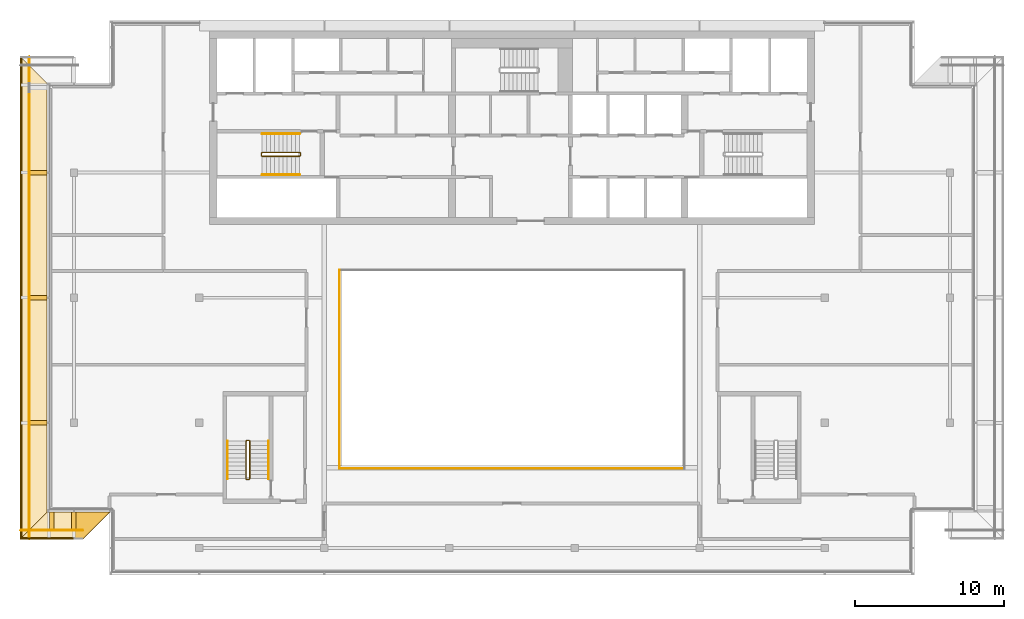
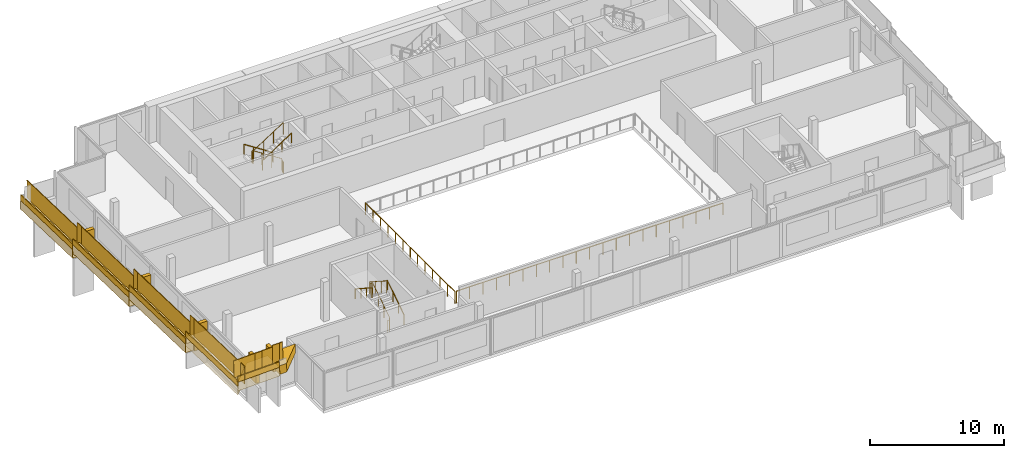
# One storey, part 16 of 20: 19 railings, 16 coverings.
"""IFC4 building model written with IfcOpenShell, lengths in metres."""

from ifc_helpers import new_model, si_unit, direction, frame, origin, origin_2d, place, context, subcontext, project, spatial, polyline, rectangle, circle, outline, extrude, material, layer, layer_set, type_object, element, save


model = new_model("IFC4")

# Units and contexts
model_context = context("Model", 3, precision=1e-05, world=origin(), true_north=direction((0.0, 1.0)))
body_context = subcontext(model_context, "Body", "Model", "MODEL_VIEW")
ifc_project = project(units=[si_unit("LENGTHUNIT", "METRE"), si_unit("AREAUNIT", "SQUARE_METRE"), si_unit("VOLUMEUNIT", "CUBIC_METRE"), si_unit("PLANEANGLEUNIT", "RADIAN"), si_unit("MASSUNIT", "GRAM", prefix="KILO")], contexts=[model_context])

# Site, building, storey
site_placement = place(None, origin())
site = spatial("IfcSite", under=ifc_project, at=site_placement, CompositionType="ELEMENT")
building_placement = place(site_placement, origin())
building = spatial("IfcBuilding", under=site, at=building_placement, Name="Saffron Gate Tower", CompositionType="ELEMENT")
storey_placement = place(building_placement, frame((0.0, 0.0, 303.14990234375)))
storey = spatial("IfcBuildingStorey", under=building, at=storey_placement, Name="L74", CompositionType="ELEMENT", Elevation=303.14990234375)

# Railings
ifc_material_1 = material(Name="Stainless steel and laminated glass", Category="steel")
railing_type_1 = type_object("IfcRailingType", Name="AG1 Atrium edge guard 1100", PredefinedType="GUARDRAIL", material=ifc_material_1)
railing_1_placement = place(storey_placement, frame((76.02001953125, 45.5400390625, 0.0)))
element("IfcRailing", 1, at=railing_1_placement, inside=storey, type_object=railing_type_1, Name="Guard E6-1", PredefinedType="GUARDRAIL", context=body_context, shape_type="SweptSolid", body=[
    extrude(circle(Radius=0.02392578125, at=origin_2d()), frame((0.0, 0.0, 1.076171875), z_axis=(0.0, 1.0, 0.0), x_axis=(-1.0, 0.0, 0.0)), (0.0, 0.0, 1.0), 13.320068359375),
    extrude(circle(Radius=0.02099609375, at=origin_2d()), origin(), (0.0, 0.0, 1.0), 1.052001953125),
    extrude(circle(Radius=0.02099609375, at=origin_2d()), frame((0.0, 1.110107421875, 0.0)), (0.0, 0.0, 1.0), 1.052001953125),
    extrude(circle(Radius=0.02099609375, at=origin_2d()), frame((0.0, 2.219970703125, 0.0)), (0.0, 0.0, 1.0), 1.052001953125),
    extrude(circle(Radius=0.02099609375, at=origin_2d()), frame((0.0, 3.330078125, 0.0)), (0.0, 0.0, 1.0), 1.052001953125),
    extrude(circle(Radius=0.02099609375, at=origin_2d()), frame((0.0, 4.43994140625, 0.0)), (0.0, 0.0, 1.0), 1.052001953125),
    extrude(circle(Radius=0.02099609375, at=origin_2d()), frame((0.0, 5.550048828125, 0.0)), (0.0, 0.0, 1.0), 1.052001953125),
    extrude(circle(Radius=0.02099609375, at=origin_2d()), frame((0.0, 6.66015625, 0.0)), (0.0, 0.0, 1.0), 1.052001953125),
    extrude(circle(Radius=0.02099609375, at=origin_2d()), frame((0.0, 7.77001953125, 0.0)), (0.0, 0.0, 1.0), 1.052001953125),
    extrude(circle(Radius=0.02099609375, at=origin_2d()), frame((0.0, 8.880126953125, 0.0)), (0.0, 0.0, 1.0), 1.052001953125),
    extrude(circle(Radius=0.02099609375, at=origin_2d()), frame((0.0, 9.989990234375, 0.0)), (0.0, 0.0, 1.0), 1.052001953125),
    extrude(circle(Radius=0.02099609375, at=origin_2d()), frame((0.0, 11.10009765625, 0.0)), (0.0, 0.0, 1.0), 1.052001953125),
    extrude(circle(Radius=0.02099609375, at=origin_2d()), frame((0.0, 12.2099609375, 0.0)), (0.0, 0.0, 1.0), 1.052001953125),
    extrude(circle(Radius=0.02099609375, at=origin_2d()), frame((0.0, 13.320068359375, 0.0)), (0.0, 0.0, 1.0), 1.052001953125),
])
railing_2_placement = place(storey_placement, frame((99.06005859375, 45.5400390625, 0.0)))
element("IfcRailing", 2, at=railing_2_placement, inside=storey, type_object=railing_type_1, Name="Guard E6-4", PredefinedType="GUARDRAIL", context=body_context, shape_type="SweptSolid", body=[
    extrude(circle(Radius=0.02392578125, at=origin_2d()), frame((0.0, 0.0, 1.076171875), z_axis=(-1.0, 0.0, 0.0), x_axis=(0.0, -1.0, 0.0)), (0.0, 0.0, 1.0), 22.920166015625),
    extrude(circle(Radius=0.02099609375, at=origin_2d()), origin(), (0.0, 0.0, 1.0), 1.052001953125),
    extrude(circle(Radius=0.02099609375, at=origin_2d()), frame((-1.14599609375, 0.0, 0.0)), (0.0, 0.0, 1.0), 1.052001953125),
    extrude(circle(Radius=0.02099609375, at=origin_2d()), frame((-2.2919921875, 0.0, 0.0)), (0.0, 0.0, 1.0), 1.052001953125),
    extrude(circle(Radius=0.02099609375, at=origin_2d()), frame((-3.43798828125, 0.0, 0.0)), (0.0, 0.0, 1.0), 1.052001953125),
    extrude(circle(Radius=0.02099609375, at=origin_2d()), frame((-4.583984375, 0.0, 0.0)), (0.0, 0.0, 1.0), 1.052001953125),
    extrude(circle(Radius=0.02099609375, at=origin_2d()), frame((-5.72998046875, 0.0, 0.0)), (0.0, 0.0, 1.0), 1.052001953125),
    extrude(circle(Radius=0.02099609375, at=origin_2d()), frame((-6.8759765625, 0.0, 0.0)), (0.0, 0.0, 1.0), 1.052001953125),
    extrude(circle(Radius=0.02099609375, at=origin_2d()), frame((-8.02197265625, 0.0, 0.0)), (0.0, 0.0, 1.0), 1.052001953125),
    extrude(circle(Radius=0.02099609375, at=origin_2d()), frame((-9.16796875, 0.0, 0.0)), (0.0, 0.0, 1.0), 1.052001953125),
    extrude(circle(Radius=0.02099609375, at=origin_2d()), frame((-10.31396484375, 0.0, 0.0)), (0.0, 0.0, 1.0), 1.052001953125),
    extrude(circle(Radius=0.02099609375, at=origin_2d()), frame((-11.4599609375, 0.0, 0.0)), (0.0, 0.0, 1.0), 1.052001953125),
    extrude(circle(Radius=0.02099609375, at=origin_2d()), frame((-12.606201171875, 0.0, 0.0)), (0.0, 0.0, 1.0), 1.052001953125),
    extrude(circle(Radius=0.02099609375, at=origin_2d()), frame((-13.752197265625, 0.0, 0.0)), (0.0, 0.0, 1.0), 1.052001953125),
    extrude(circle(Radius=0.02099609375, at=origin_2d()), frame((-14.898193359375, 0.0, 0.0)), (0.0, 0.0, 1.0), 1.052001953125),
    extrude(circle(Radius=0.02099609375, at=origin_2d()), frame((-16.044189453125, 0.0, 0.0)), (0.0, 0.0, 1.0), 1.052001953125),
    extrude(circle(Radius=0.02099609375, at=origin_2d()), frame((-17.190185546875, 0.0, 0.0)), (0.0, 0.0, 1.0), 1.052001953125),
    extrude(circle(Radius=0.02099609375, at=origin_2d()), frame((-18.336181640625, 0.0, 0.0)), (0.0, 0.0, 1.0), 1.052001953125),
    extrude(circle(Radius=0.02099609375, at=origin_2d()), frame((-19.482177734375, 0.0, 0.0)), (0.0, 0.0, 1.0), 1.052001953125),
    extrude(circle(Radius=0.02099609375, at=origin_2d()), frame((-20.628173828125, 0.0, 0.0)), (0.0, 0.0, 1.0), 1.052001953125),
    extrude(circle(Radius=0.02099609375, at=origin_2d()), frame((-21.774169921875, 0.0, 0.0)), (0.0, 0.0, 1.0), 1.052001953125),
    extrude(circle(Radius=0.02099609375, at=origin_2d()), frame((-22.920166015625, 0.0, 0.0)), (0.0, 0.0, 1.0), 1.052001953125),
])
railing_type_2 = type_object("IfcRailingType", Name="CR1 Stair guard 1100", PredefinedType="GUARDRAIL", material=ifc_material_1)
railing_3_placement = place(storey_placement, frame((73.39990234375, 66.550048828125, 0.0)))
element("IfcRailing", 3, at=railing_3_placement, inside=storey, type_object=railing_type_2, Name="L74 ST-A stair guard 1", PredefinedType="GUARDRAIL", context=body_context, shape_type="SweptSolid", body=[
    extrude(circle(Radius=0.02392578125, at=origin_2d()), frame((0.0, 0.0, 1.076171875), z_axis=(0.0, 1.0, 0.0), x_axis=(-1.0, 0.0, 0.0)), (0.0, 0.0, 1.0), 0.14990234375),
    extrude(circle(Radius=0.02392578125, at=origin_2d()), frame((0.0, 0.14990234375, 1.076171875), z_axis=(-0.257366384619, 0.258627984543, 0.931060744355), x_axis=(-0.708833529934, -0.705375805398, 0.0)), (0.0, 0.0, 1.0), 0.193603515625),
    extrude(circle(Radius=0.02392578125, at=origin_2d()), frame((-0.0498046875, 0.199951171875, 1.25634765625), z_axis=(-0.841199657755, 0.0, 0.540724639528), x_axis=(0.0, -1.0, 0.0)), (0.0, 0.0, 1.0), 2.995849609375),
    extrude(circle(Radius=0.02392578125, at=origin_2d()), frame((-2.56982421875, 0.199951171875, 2.8759765625), z_axis=(-0.707106781187, -0.707106781187, 0.0), x_axis=(0.707106781187, -0.707106781187, 0.0)), (0.0, 0.0, 1.0), 0.07080078125),
    extrude(circle(Radius=0.02392578125, at=origin_2d()), frame((-2.619873046875, 0.14990234375, 2.8759765625), z_axis=(0.0, -1.0, 0.0), x_axis=(1.0, 0.0, 0.0)), (0.0, 0.0, 1.0), 0.14990234375),
    extrude(circle(Radius=0.02392578125, at=origin_2d()), frame((-2.619873046875, 0.0, 2.8759765625), z_axis=(0.258847668887, -0.258847668887, 0.930588936439), x_axis=(0.707106781187, 0.707106781187, 0.0)), (0.0, 0.0, 1.0), 0.193359375),
    extrude(circle(Radius=0.02392578125, at=origin_2d()), frame((-2.56982421875, -0.050048828125, 3.05615234375), z_axis=(0.841162588446, 0.0, 0.540782303519), x_axis=(0.0, 1.0, 0.0)), (0.0, 0.0, 1.0), 2.995849609375),
    extrude(circle(Radius=0.02099609375, at=origin_2d()), origin(), (0.0, 0.0, 1.0), 1.052001953125),
    extrude(circle(Radius=0.02099609375, at=origin_2d()), frame((0.0, 0.14990234375, 0.0)), (0.0, 0.0, 1.0), 1.052001953125),
    extrude(circle(Radius=0.02099609375, at=origin_2d()), frame((-0.0498046875, 0.199951171875, 0.18017578125)), (0.0, 0.0, 1.0), 1.052001953125),
    extrude(circle(Radius=0.02099609375, at=origin_2d()), frame((-0.889892578125, 0.199951171875, 0.72021484375)), (0.0, 0.0, 1.0), 1.052001953125),
    extrude(circle(Radius=0.02099609375, at=origin_2d()), frame((-1.729736328125, 0.199951171875, 1.260009765625)), (0.0, 0.0, 1.0), 1.052001953125),
    extrude(circle(Radius=0.02099609375, at=origin_2d()), frame((-2.56982421875, 0.199951171875, 1.800048828125)), (0.0, 0.0, 1.0), 1.052001953125),
    extrude(circle(Radius=0.02099609375, at=origin_2d()), frame((-2.619873046875, 0.14990234375, 1.800048828125)), (0.0, 0.0, 1.0), 1.052001953125),
    extrude(circle(Radius=0.02099609375, at=origin_2d()), frame((-2.619873046875, 0.0, 1.800048828125)), (0.0, 0.0, 1.0), 1.052001953125),
    extrude(circle(Radius=0.02099609375, at=origin_2d()), frame((-2.56982421875, -0.050048828125, 1.97998046875)), (0.0, 0.0, 1.0), 1.052001953125),
    extrude(circle(Radius=0.02099609375, at=origin_2d()), frame((-1.729736328125, -0.050048828125, 2.52001953125)), (0.0, 0.0, 1.0), 1.052001953125),
    extrude(circle(Radius=0.02099609375, at=origin_2d()), frame((-0.889892578125, -0.050048828125, 3.06005859375)), (0.0, 0.0, 1.0), 1.052001953125),
    extrude(circle(Radius=0.02099609375, at=origin_2d()), frame((-0.0498046875, -0.050048828125, 3.60009765625)), (0.0, 0.0, 1.0), 1.052001953125),
])
railing_4_placement = place(storey_placement, frame((69.800048828125, 44.800048828125, 0.0)))
element("IfcRailing", 4, at=railing_4_placement, inside=storey, type_object=railing_type_2, Name="L74 ST-D stair guard 1", PredefinedType="GUARDRAIL", context=body_context, shape_type="SweptSolid", body=[
    extrude(circle(Radius=0.02392578125, at=origin_2d()), frame((0.0, 0.0, 1.076171875), z_axis=(1.0, 0.0, 0.0), x_axis=(0.0, 1.0, 0.0)), (0.0, 0.0, 1.0), 0.14990234375),
    extrude(circle(Radius=0.02392578125, at=origin_2d()), frame((0.14990234375, 0.0, 1.076171875), z_axis=(0.258543844998, 0.258543844998, 0.930757841991), x_axis=(-0.707106781187, 0.707106781187, 0.0)), (0.0, 0.0, 1.0), 0.193603515625),
    extrude(circle(Radius=0.02392578125, at=origin_2d()), frame((0.199951171875, 0.050048828125, 1.25634765625), z_axis=(0.0, 0.841199657755, 0.540724639528), x_axis=(-1.0, 0.0, 0.0)), (0.0, 0.0, 1.0), 2.995849609375),
    extrude(circle(Radius=0.02392578125, at=origin_2d()), frame((0.199951171875, 2.570068359375, 2.8759765625), z_axis=(-0.708833529934, 0.705375805398, 0.0), x_axis=(-0.705375805398, -0.708833529934, 0.0)), (0.0, 0.0, 1.0), 0.070556640625),
    extrude(circle(Radius=0.02392578125, at=origin_2d()), frame((0.14990234375, 2.619873046875, 2.8759765625), z_axis=(-1.0, 0.0, 0.0), x_axis=(0.0, -1.0, 0.0)), (0.0, 0.0, 1.0), 0.14990234375),
    extrude(circle(Radius=0.02392578125, at=origin_2d()), frame((0.0, 2.619873046875, 2.8759765625), z_axis=(-0.258932105505, -0.257669022063, 0.930892496375), x_axis=(0.705375805398, -0.708833529934, 0.0)), (0.0, 0.0, 1.0), 0.193359375),
    extrude(circle(Radius=0.02392578125, at=origin_2d()), frame((-0.050048828125, 2.570068359375, 3.05615234375), z_axis=(0.0, -0.841162588446, 0.540782303519), x_axis=(1.0, 0.0, 0.0)), (0.0, 0.0, 1.0), 2.995849609375),
    extrude(circle(Radius=0.02099609375, at=origin_2d()), origin(), (0.0, 0.0, 1.0), 1.052001953125),
    extrude(circle(Radius=0.02099609375, at=origin_2d()), frame((0.14990234375, 0.0, 0.0)), (0.0, 0.0, 1.0), 1.052001953125),
    extrude(circle(Radius=0.02099609375, at=origin_2d()), frame((0.199951171875, 0.050048828125, 0.18017578125)), (0.0, 0.0, 1.0), 1.052001953125),
    extrude(circle(Radius=0.02099609375, at=origin_2d()), frame((0.199951171875, 0.89013671875, 0.72021484375)), (0.0, 0.0, 1.0), 1.052001953125),
    extrude(circle(Radius=0.02099609375, at=origin_2d()), frame((0.199951171875, 1.72998046875, 1.260009765625)), (0.0, 0.0, 1.0), 1.052001953125),
    extrude(circle(Radius=0.02099609375, at=origin_2d()), frame((0.199951171875, 2.570068359375, 1.800048828125)), (0.0, 0.0, 1.0), 1.052001953125),
    extrude(circle(Radius=0.02099609375, at=origin_2d()), frame((0.14990234375, 2.619873046875, 1.800048828125)), (0.0, 0.0, 1.0), 1.052001953125),
    extrude(circle(Radius=0.02099609375, at=origin_2d()), frame((0.0, 2.619873046875, 1.800048828125)), (0.0, 0.0, 1.0), 1.052001953125),
    extrude(circle(Radius=0.02099609375, at=origin_2d()), frame((-0.050048828125, 2.570068359375, 1.97998046875)), (0.0, 0.0, 1.0), 1.052001953125),
    extrude(circle(Radius=0.02099609375, at=origin_2d()), frame((-0.050048828125, 1.72998046875, 2.52001953125)), (0.0, 0.0, 1.0), 1.052001953125),
    extrude(circle(Radius=0.02099609375, at=origin_2d()), frame((-0.050048828125, 0.89013671875, 3.06005859375)), (0.0, 0.0, 1.0), 1.052001953125),
    extrude(circle(Radius=0.02099609375, at=origin_2d()), frame((-0.050048828125, 0.050048828125, 3.60009765625)), (0.0, 0.0, 1.0), 1.052001953125),
])
ifc_material_2 = material(Name="Stainless steel", Category="steel")
railing_type_3 = type_object("IfcRailingType", Name="CR2 Stair handrail 900", PredefinedType="HANDRAIL", material=ifc_material_2)
railing_5_placement = place(storey_placement, frame((73.35009765625, 68.0, 0.18017578125)))
element("IfcRailing", 5, at=railing_5_placement, inside=storey, type_object=railing_type_3, Name="L74 ST-A stair handrail 1", PredefinedType="HANDRAIL", context=body_context, shape_type="SweptSolid", body=[
    extrude(circle(Radius=0.02392578125, at=origin_2d()), frame((0.0, 0.0, 0.8759765625), z_axis=(-0.841199657755, 0.0, 0.540724639528), x_axis=(0.0, -1.0, 0.0)), (0.0, 0.0, 1.0), 2.995849609375),
    extrude(circle(Radius=0.02099609375, at=origin_2d()), origin(), (0.0, 0.0, 1.0), 0.851806640625),
    extrude(circle(Radius=0.02099609375, at=origin_2d()), frame((-0.840087890625, 0.0, 0.5400390625)), (0.0, 0.0, 1.0), 0.851806640625),
    extrude(circle(Radius=0.02099609375, at=origin_2d()), frame((-1.679931640625, 0.0, 1.079833984375)), (0.0, 0.0, 1.0), 0.851806640625),
    extrude(circle(Radius=0.02099609375, at=origin_2d()), frame((-2.52001953125, 0.0, 1.619873046875)), (0.0, 0.0, 1.0), 0.851806640625),
])
railing_6_placement = place(storey_placement, frame((70.830078125, 65.25, 1.97998046875)))
element("IfcRailing", 6, at=railing_6_placement, inside=storey, type_object=railing_type_3, Name="L74 ST-A stair handrail 2", PredefinedType="HANDRAIL", context=body_context, shape_type="SweptSolid", body=[
    extrude(circle(Radius=0.02392578125, at=origin_2d()), frame((0.0, 0.0, 0.8759765625), z_axis=(0.841162588446, 0.0, 0.540782303519), x_axis=(0.0, 1.0, 0.0)), (0.0, 0.0, 1.0), 2.995849609375),
    extrude(circle(Radius=0.02099609375, at=origin_2d()), origin(), (0.0, 0.0, 1.0), 0.851806640625),
    extrude(circle(Radius=0.02099609375, at=origin_2d()), frame((0.840087890625, 0.0, 0.5400390625)), (0.0, 0.0, 1.0), 0.851806640625),
    extrude(circle(Radius=0.02099609375, at=origin_2d()), frame((1.679931640625, 0.0, 1.080078125)), (0.0, 0.0, 1.0), 0.851806640625),
    extrude(circle(Radius=0.02099609375, at=origin_2d()), frame((2.52001953125, 0.0, 1.6201171875)), (0.0, 0.0, 1.0), 0.851806640625),
])
railing_7_placement = place(storey_placement, frame((71.25, 44.85009765625, 0.18017578125)))
element("IfcRailing", 7, at=railing_7_placement, inside=storey, type_object=railing_type_3, Name="L74 ST-D stair handrail 1", PredefinedType="HANDRAIL", context=body_context, shape_type="SweptSolid", body=[
    extrude(circle(Radius=0.02392578125, at=origin_2d()), frame((0.0, 0.0, 0.8759765625), z_axis=(0.0, 0.841199657755, 0.540724639528), x_axis=(-1.0, 0.0, 0.0)), (0.0, 0.0, 1.0), 2.995849609375),
    extrude(circle(Radius=0.02099609375, at=origin_2d()), origin(), (0.0, 0.0, 1.0), 0.851806640625),
    extrude(circle(Radius=0.02099609375, at=origin_2d()), frame((0.0, 0.840087890625, 0.5400390625)), (0.0, 0.0, 1.0), 0.851806640625),
    extrude(circle(Radius=0.02099609375, at=origin_2d()), frame((0.0, 1.679931640625, 1.079833984375)), (0.0, 0.0, 1.0), 0.851806640625),
    extrude(circle(Radius=0.02099609375, at=origin_2d()), frame((0.0, 2.52001953125, 1.619873046875)), (0.0, 0.0, 1.0), 0.851806640625),
])
railing_8_placement = place(storey_placement, frame((68.5, 47.3701171875, 1.97998046875)))
element("IfcRailing", 8, at=railing_8_placement, inside=storey, type_object=railing_type_3, Name="L74 ST-D stair handrail 2", PredefinedType="HANDRAIL", context=body_context, shape_type="SweptSolid", body=[
    extrude(circle(Radius=0.02392578125, at=origin_2d()), frame((0.0, 0.0, 0.8759765625), z_axis=(0.0, -0.841162588446, 0.540782303519), x_axis=(1.0, 0.0, 0.0)), (0.0, 0.0, 1.0), 2.995849609375),
    extrude(circle(Radius=0.02099609375, at=origin_2d()), origin(), (0.0, 0.0, 1.0), 0.851806640625),
    extrude(circle(Radius=0.02099609375, at=origin_2d()), frame((0.0, -0.840087890625, 0.5400390625)), (0.0, 0.0, 1.0), 0.851806640625),
    extrude(circle(Radius=0.02099609375, at=origin_2d()), frame((0.0, -1.679931640625, 1.080078125)), (0.0, 0.0, 1.0), 0.851806640625),
    extrude(circle(Radius=0.02099609375, at=origin_2d()), frame((0.0, -2.52001953125, 1.6201171875)), (0.0, 0.0, 1.0), 0.851806640625),
])

# Coverings
ifc_material_3 = material(Name="Timber, thermally modified ash", Category="wood")
ifc_layer_1 = layer(ifc_material_3, 0.800048828125)
ifc_layer_set_1 = layer_set([ifc_layer_1], Name="LD1 ledge timber")
covering_type_1 = type_object("IfcCoveringType", Name="LD1 ledge timber", PredefinedType="CLADDING", material=ifc_layer_set_1)
covering_1_placement = place(storey_placement, frame((56.39990234375, 71.39990234375, 0.188232421875), z_axis=(2.3920834e-05, 0.028789477025, 0.999585496814), x_axis=(-1.72e-10, -0.9995854971, 0.028789477033)))
element("IfcCovering", 9, at=covering_1_placement, inside=storey, type_object=covering_type_1, Name="LEDGE", PredefinedType="CLADDING", context=body_context, shape_type="SweptSolid", body=[
    extrude(outline(polyline([(0.0, 0.0), (6.002489288687248, -8.470329472543003e-22), (6.002489288996045, -1.7998046869850703), (-1.800792782710612, -1.7998046893537554), (0.0, 0.0)])), origin(), (0.0, 0.0, -1.0), 0.800048828125),
])
for number, where, z_axis, x_axis, name in (
    (10, (56.39990234375, 65.39990234375, 0.82861328125), (0.0, 0.028791175352, 0.999585448184), (0.0, -0.999585448184, 0.028791175352), "LEDGE"),
    (11, (56.39990234375, 57.0, 1.72509765625), (0.0, 0.028791175352, 0.999585448184), (0.0, -0.999585448184, 0.028791175352), "LEDGE"),
):
    element("IfcCovering", number, at=place(storey_placement, frame(where, z_axis=z_axis, x_axis=x_axis)), inside=storey, type_object=covering_type_1, Name=name, PredefinedType="CLADDING", context=body_context, shape_type="SweptSolid", body=[
        extrude(outline(polyline([(0.0, 0.0), (8.403385982666892, 0.0), (8.403385982666892, -1.7998046875), (0.0, -1.7998046875), (0.0, 0.0)])), origin(), (0.0, 0.0, -1.0), 0.800048828125),
    ])
covering_2_placement = place(storey_placement, frame((56.39990234375, 48.60009765625, 2.621337890625), z_axis=(3.5032058e-05, 0.028807146299, 0.99958498743), x_axis=(3.68e-10, -0.999584988043, 0.028807146316)))
element("IfcCovering", 12, at=covering_2_placement, inside=storey, type_object=covering_type_1, Name="LEDGE", PredefinedType="CLADDING", context=body_context, shape_type="SweptSolid", body=[
    extrude(outline(polyline([(0.0, 0.0), (6.0024892885105, 0.0), (7.8032891020589235, -1.799804691475862), (-6.622937652876953e-10, -1.7998046863955992), (0.0, 0.0)])), origin(), (0.0, 0.0, -1.0), 0.800048828125),
])
covering_3_placement = place(storey_placement, frame((56.39990234375, 42.60009765625, 3.26171875), z_axis=(-0.028742979799, -1.29947e-06, 0.999586835203), x_axis=(0.999586835204, -2e-12, 0.028742979799)))
element("IfcCovering", 13, at=covering_3_placement, inside=storey, type_object=covering_type_1, Name="LEDGE", PredefinedType="CLADDING", context=body_context, shape_type="SweptSolid", body=[
    extrude(outline(polyline([(0.0, 0.0), (1.8007927850764784, 0.0), (1.800792785079517, -1.8000488281234803), (-1.8005487453187516, -1.8000488281325988), (0.0, 0.0)])), origin(), (0.0, 0.0, -1.0), 0.800048828125),
])
covering_4_placement = place(storey_placement, frame((58.199951171875, 42.60009765625, 3.453857421875), z_axis=(-0.028794305201, 2.6333678e-05, 0.999585357683), x_axis=(0.99958535803, 5.2e-10, 0.028794305211)))
element("IfcCovering", 14, at=covering_4_placement, inside=storey, type_object=covering_type_1, Name="LEDGE", PredefinedType="CLADDING", context=body_context, shape_type="SweptSolid", body=[
    extrude(outline(polyline([(0.0, 0.0), (2.401140733194568, 0.0), (0.6003479496762917, -1.8000488290612322), (-9.357805408281585e-10, -1.8000488275008664), (0.0, 0.0)])), origin(), (0.0, 0.0, -1.0), 0.800048828125),
])
ifc_layer_2 = layer(ifc_material_3, 0.080078125)
ifc_layer_set_2 = layer_set([ifc_layer_2], Name="LD2 ledge planter trough")
covering_type_2 = type_object("IfcCoveringType", Name="LD2 ledge planter trough", PredefinedType="CLADDING", material=ifc_layer_set_2)
covering_5_placement = place(storey_placement, frame((54.60009765625, 73.199951171875, 0.136474609375), z_axis=(-1.0, 0.0, 0.0), x_axis=(0.0, -0.999585655924, 0.028783962047)))
element("IfcCovering", 15, at=covering_5_placement, inside=storey, type_object=covering_type_2, Name="LEDGE planter trough", PredefinedType="CLADDING", context=body_context, shape_type="SweptSolid", body=[
    extrude(outline(polyline([(0.0, 0.0), (7.803282071825423, 2.7755575615628914e-17), (7.817674052849086, 0.4997928279619612), (0.014391981023662846, 0.4997928279619612), (0.0, 0.0)])), origin(), (0.0, 0.0, -1.0), 0.080078125),
])
for number, where, z_axis, x_axis, name in (
    (16, (54.60009765625, 65.39990234375, 0.82861328125), (-1.0, 0.0, 0.0), (0.0, -0.999585448184, 0.028791175352), "LEDGE planter trough"),
    (17, (54.60009765625, 57.0, 1.72509765625), (-1.0, 0.0, 0.0), (0.0, -0.999585448184, 0.028791175352), "LEDGE planter trough"),
):
    element("IfcCovering", number, at=place(storey_placement, frame(where, z_axis=z_axis, x_axis=x_axis)), inside=storey, type_object=covering_type_2, Name=name, PredefinedType="CLADDING", context=body_context, shape_type="SweptSolid", body=[
        extrude(outline(polyline([(0.0, 0.0), (8.403385982666892, 0.0), (8.417781570342743, 0.49979272409216496), (0.014395587675851172, 0.4997927240921649), (0.0, 0.0)])), origin(), (0.0, 0.0, -1.0), 0.080078125),
    ])
covering_6_placement = place(storey_placement, frame((54.60009765625, 48.60009765625, 2.621337890625), z_axis=(-1.0, 0.0, 0.0), x_axis=(0.0, -0.999584755248, 0.028815222999)))
element("IfcCovering", 18, at=covering_6_placement, inside=storey, type_object=covering_type_2, Name="LEDGE planter trough", PredefinedType="CLADDING", context=body_context, shape_type="SweptSolid", body=[
    extrude(outline(polyline([(0.0, 0.0), (7.803289102975944, 0.0), (7.8176967144752565, 0.4997923776238338), (0.014407611499312996, 0.4997923776238338), (0.0, 0.0)])), origin(), (0.0, 0.0, -1.0), 0.080078125),
])
covering_7_placement = place(storey_placement, frame((54.60009765625, 40.800048828125, 3.2099609375), z_axis=(0.0, -1.0, 0.0), x_axis=(0.999586816534, 0.0, 0.028743629041)))
element("IfcCovering", 19, at=covering_7_placement, inside=storey, type_object=covering_type_2, Name="LEDGE planter trough", PredefinedType="CLADDING", context=body_context, shape_type="SweptSolid", body=[
    extrude(outline(polyline([(0.0, 0.0), (3.6013415303990284, 0.0), (3.615713344919565, 0.4997934082672433), (0.01437181452053653, 0.4997934082672433), (0.0, 0.0)])), origin(), (0.0, 0.0, -1.0), 0.080078125),
])
ifc_layer_3 = layer(ifc_material_3, 0.300048828125)
ifc_layer_set_3 = layer_set([ifc_layer_3], Name="LD3 ledge riser fin")
covering_type_3 = type_object("IfcCoveringType", Name="LD3 ledge riser fin", PredefinedType="CLADDING", material=ifc_layer_set_3)
covering_8_placement = place(storey_placement, frame((55.840087890625, 65.39990234375, -0.43896484375), z_axis=(0.0, 0.0, 1.0), x_axis=(0.0, -1.0, 0.0)))
element("IfcCovering", 20, at=covering_8_placement, inside=storey, type_object=covering_type_3, Name="LEDGE riser fin", PredefinedType="CLADDING", context=body_context, shape_type="SweptSolid", body=[
    extrude(rectangle(XDim=0.300048828125, YDim=1.1201171875, at=origin_2d()), origin(), (0.0, 0.0, 1.0), 2.16748046875),
])
for number, where, z_axis, x_axis, name in (
    (21, (55.840087890625, 57.0, 0.2705078125), (0.0, 0.0, 1.0), (0.0, -1.0, 0.0), "LEDGE riser fin"),
    (22, (55.840087890625, 48.60009765625, 1.1669921875), (0.0, 0.0, 1.0), (0.0, -1.0, 0.0), "LEDGE riser fin"),
):
    element("IfcCovering", number, at=place(storey_placement, frame(where, z_axis=z_axis, x_axis=x_axis)), inside=storey, type_object=covering_type_3, Name=name, PredefinedType="CLADDING", context=body_context, shape_type="SweptSolid", body=[
        extrude(rectangle(XDim=0.300048828125, YDim=1.1201171875, at=origin_2d()), origin(), (0.0, 0.0, 1.0), 2.3544921875),
    ])
covering_9_placement = place(storey_placement, frame((56.699951171875, 42.0400390625, 1.994140625), z_axis=(0.0, 0.0, 1.0), x_axis=(1.0, 0.0, 0.0)))
element("IfcCovering", 23, at=covering_9_placement, inside=storey, type_object=covering_type_3, Name="LEDGE riser fin", PredefinedType="CLADDING", context=body_context, shape_type="SweptSolid", body=[
    extrude(rectangle(XDim=0.300048828125, YDim=1.1201171875, at=origin_2d()), origin(), (0.0, 0.0, 1.0), 2.16748046875),
])
covering_10_placement = place(storey_placement, frame((58.199951171875, 42.0400390625, 2.513427734375), z_axis=(0.0, 0.0, 1.0), x_axis=(1.0, 0.0, 0.0)))
element("IfcCovering", 24, at=covering_10_placement, inside=storey, type_object=covering_type_3, Name="LEDGE riser fin", PredefinedType="CLADDING", context=body_context, shape_type="SweptSolid", body=[
    extrude(rectangle(XDim=0.300048828125, YDim=1.1201171875, at=origin_2d()), origin(), (0.0, 0.0, 1.0), 1.84033203125),
])

# Railings
railing_type_4 = type_object("IfcRailingType", Name="LG1 ledge balustrade", PredefinedType="BALUSTRADE", material=ifc_material_3)
railing_9_placement = place(storey_placement, frame((55.199951171875, 73.199951171875, 0.136474609375)))
element("IfcRailing", 25, at=railing_9_placement, inside=storey, type_object=railing_type_4, Name="LEDGE BALUSTRADE", PredefinedType="BALUSTRADE", context=body_context, shape_type="SweptSolid", body=[
    extrude(rectangle(XDim=0.06005859375, YDim=1.60009765625, at=origin_2d()), frame((0.0, 0.0, 0.800048828125), z_axis=(0.0, -0.999585655924, 0.028783962047), x_axis=(1.0, 0.0, 0.0)), (0.0, 0.0, 1.0), 7.80322265625),
])
railing_10_placement = place(storey_placement, frame((55.199951171875, 65.39990234375, 0.82861328125)))
element("IfcRailing", 26, at=railing_10_placement, inside=storey, type_object=railing_type_4, Name="LEDGE BALUSTRADE", PredefinedType="BALUSTRADE", context=body_context, shape_type="SweptSolid", body=[
    extrude(rectangle(XDim=0.06005859375, YDim=1.60009765625, at=origin_2d()), frame((0.0, 0.0, 0.800048828125), z_axis=(0.0, -0.999585448184, 0.028791175352), x_axis=(1.0, 0.0, 0.0)), (0.0, 0.0, 1.0), 8.4033203125),
])
railing_11_placement = place(storey_placement, frame((55.199951171875, 65.699951171875, 0.361083984375)))
element("IfcRailing", 27, at=railing_11_placement, inside=storey, type_object=railing_type_4, Name="LEDGE BALUSTRADE", PredefinedType="BALUSTRADE", context=body_context, shape_type="SweptSolid", body=[
    extrude(rectangle(XDim=0.06005859375, YDim=2.0673828125, at=origin_2d()), frame((0.0, 0.0, 1.03369140625), z_axis=(0.0, -1.0, 0.0), x_axis=(1.0, 0.0, 0.0)), (0.0, 0.0, 1.0), 0.599853515625),
])
railing_12_placement = place(storey_placement, frame((55.199951171875, 57.0, 1.72509765625)))
element("IfcRailing", 28, at=railing_12_placement, inside=storey, type_object=railing_type_4, Name="LEDGE BALUSTRADE", PredefinedType="BALUSTRADE", context=body_context, shape_type="SweptSolid", body=[
    extrude(rectangle(XDim=0.06005859375, YDim=1.60009765625, at=origin_2d()), frame((0.0, 0.0, 0.800048828125), z_axis=(0.0, -0.999585448184, 0.028791175352), x_axis=(1.0, 0.0, 0.0)), (0.0, 0.0, 1.0), 8.4033203125),
])
railing_13_placement = place(storey_placement, frame((55.199951171875, 57.300048828125, 1.070556640625)))
element("IfcRailing", 29, at=railing_13_placement, inside=storey, type_object=railing_type_4, Name="LEDGE BALUSTRADE", PredefinedType="BALUSTRADE", context=body_context, shape_type="SweptSolid", body=[
    extrude(rectangle(XDim=0.06005859375, YDim=2.25439453125, at=origin_2d()), frame((0.0, 0.0, 1.127197265625), z_axis=(0.0, -1.0, 0.0), x_axis=(1.0, 0.0, 0.0)), (0.0, 0.0, 1.0), 0.60009765625),
])
railing_14_placement = place(storey_placement, frame((55.199951171875, 48.60009765625, 2.621337890625)))
element("IfcRailing", 30, at=railing_14_placement, inside=storey, type_object=railing_type_4, Name="LEDGE BALUSTRADE", PredefinedType="BALUSTRADE", context=body_context, shape_type="SweptSolid", body=[
    extrude(rectangle(XDim=0.06005859375, YDim=1.60009765625, at=origin_2d()), frame((0.0, 0.0, 0.800048828125), z_axis=(0.0, -0.999584755248, 0.028815222999), x_axis=(1.0, 0.0, 0.0)), (0.0, 0.0, 1.0), 7.80322265625),
])
railing_15_placement = place(storey_placement, frame((55.199951171875, 48.89990234375, 1.967041015625)))
element("IfcRailing", 31, at=railing_15_placement, inside=storey, type_object=railing_type_4, Name="LEDGE BALUSTRADE", PredefinedType="BALUSTRADE", context=body_context, shape_type="SweptSolid", body=[
    extrude(rectangle(XDim=0.06005859375, YDim=2.25439453125, at=origin_2d()), frame((0.0, 0.0, 1.127197265625), z_axis=(0.0, -1.0, 0.0), x_axis=(1.0, 0.0, 0.0)), (0.0, 0.0, 1.0), 0.599853515625),
])
railing_16_placement = place(storey_placement, frame((54.60009765625, 41.39990234375, 3.2099609375)))
element("IfcRailing", 32, at=railing_16_placement, inside=storey, type_object=railing_type_4, Name="LEDGE BALUSTRADE", PredefinedType="BALUSTRADE", context=body_context, shape_type="SweptSolid", body=[
    extrude(rectangle(XDim=0.06005859375, YDim=1.60009765625, at=origin_2d()), frame((0.0, 0.0, 0.800048828125), z_axis=(0.999586816534, 0.0, 0.028743629041), x_axis=(0.0, 1.0, 0.0)), (0.0, 0.0, 1.0), 3.601318359375),
])
railing_17_placement = place(storey_placement, frame((56.39990234375, 41.39990234375, 2.794189453125)))
element("IfcRailing", 33, at=railing_17_placement, inside=storey, type_object=railing_type_4, Name="LEDGE BALUSTRADE", PredefinedType="BALUSTRADE", context=body_context, shape_type="SweptSolid", body=[
    extrude(rectangle(XDim=0.06005859375, YDim=2.0673828125, at=origin_2d()), frame((0.0, 0.0, 1.03369140625), z_axis=(1.0, 0.0, 0.0), x_axis=(0.0, 1.0, 0.0)), (0.0, 0.0, 1.0), 0.60009765625),
])
railing_18_placement = place(storey_placement, frame((58.199951171875, 41.39990234375, 3.453857421875)))
element("IfcRailing", 34, at=railing_18_placement, inside=storey, type_object=railing_type_4, Name="LEDGE BALUSTRADE", PredefinedType="BALUSTRADE", context=body_context, shape_type="SweptSolid", body=[
    extrude(rectangle(XDim=0.06005859375, YDim=1.60009765625, at=origin_2d()), frame((0.0, 0.0, 0.800048828125), z_axis=(0.999583081391, 0.0, 0.028873229772), x_axis=(0.0, 1.0, 0.0)), (0.0, 0.0, 1.0), 0.600341796875),
])
railing_19_placement = place(storey_placement, frame((57.89990234375, 41.39990234375, 3.3134765625)))
element("IfcRailing", 35, at=railing_19_placement, inside=storey, type_object=railing_type_4, Name="LEDGE BALUSTRADE", PredefinedType="BALUSTRADE", context=body_context, shape_type="SweptSolid", body=[
    extrude(rectangle(XDim=0.06005859375, YDim=1.740234375, at=origin_2d()), frame((0.0, 0.0, 0.8701171875), z_axis=(1.0, 0.0, 0.0), x_axis=(0.0, 1.0, 0.0)), (0.0, 0.0, 1.0), 0.60009765625),
])

save(model, "model.ifc")
